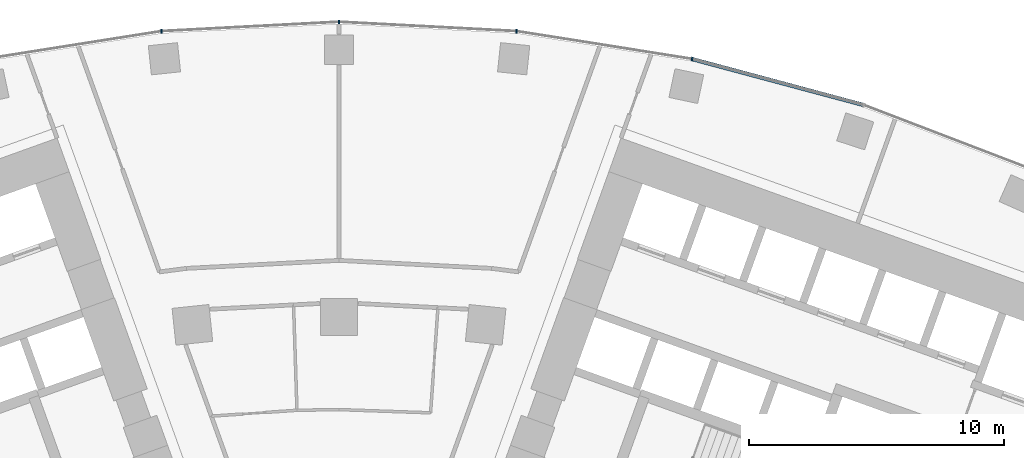
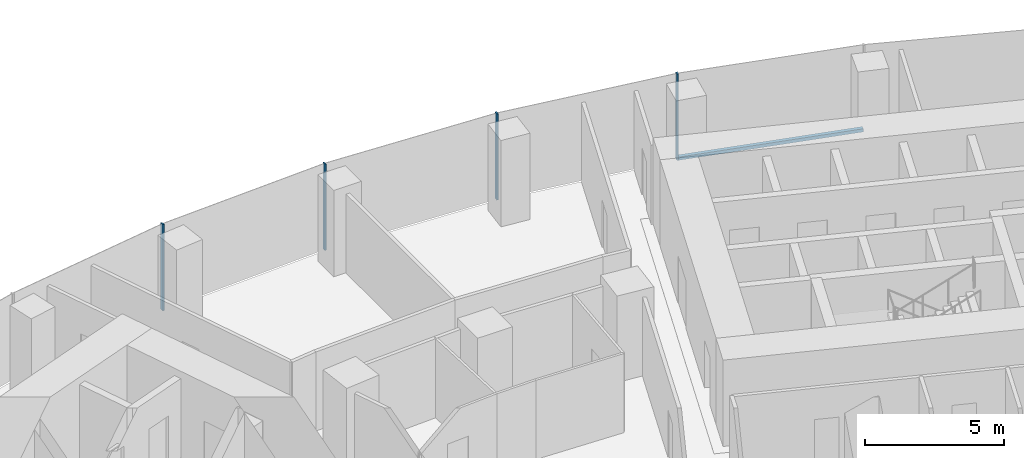
# One storey, part 6 of 20: 5 members, 1 element without a shape of its own.
"""IFC4 building model written with IfcOpenShell, lengths in metres."""

from ifc_helpers import new_model, si_unit, direction, frame, origin, origin_2d, place, context, subcontext, project, spatial, rectangle, extrude, material, layer, layer_set, material_profile, profile_set, type_object, element, aggregate, save


model = new_model("IFC4")

# Units and contexts
model_context = context("Model", 3, precision=1e-05, world=origin(), true_north=direction((0.0, 1.0)))
body_context = subcontext(model_context, "Body", "Model", "MODEL_VIEW")
ifc_project = project(units=[si_unit("LENGTHUNIT", "METRE"), si_unit("AREAUNIT", "SQUARE_METRE"), si_unit("VOLUMEUNIT", "CUBIC_METRE"), si_unit("PLANEANGLEUNIT", "RADIAN"), si_unit("MASSUNIT", "GRAM", prefix="KILO")], contexts=[model_context])

# Site, building, storey
site_placement = place(None, origin())
site = spatial("IfcSite", under=ifc_project, at=site_placement, CompositionType="ELEMENT")
building_placement = place(site_placement, origin())
building = spatial("IfcBuilding", under=site, at=building_placement, Name="Stone Belt Terrace Tower", CompositionType="ELEMENT")
storey_placement = place(building_placement, frame((0.0, 0.0, 125.0)))
storey = spatial("IfcBuildingStorey", under=building, at=storey_placement, Name="L30", CompositionType="ELEMENT", Elevation=125.0)

# Curtain wall, members
ifc_material = material(Name="Aluminium 6063-T6 anodised frame", Category="aluminium")
ifc_layer = layer(ifc_material, 0.14990234375)
ifc_layer_set = layer_set([ifc_layer], Name="CW-A unitised convex-face curtain wall")
curtain_wall_type = type_object("IfcCurtainWallType", Name="CW-A unitised convex-face curtain wall", PredefinedType="NOTDEFINED", material=ifc_layer_set)
curtain_wall_placement = place(storey_placement, origin())
curtain_wall = element("IfcCurtainWall", 1, at=curtain_wall_placement, inside=storey, type_object=curtain_wall_type, Name="CW-A convex face L30", PredefinedType="NOTDEFINED")
ifc_material_profile_1 = material_profile(ifc_material, rectangle(XDim=0.14990234375, YDim=0.06005859375, at=origin_2d()), Name="Aluminium 6063-T6 60x150")
ifc_profile_set_1 = profile_set([ifc_material_profile_1], Name="Aluminium 6063-T6 anodised frame")
member_type_1 = type_object("IfcMemberType", Name="CW-A mullion 60 x 150", PredefinedType="MULLION", material=ifc_profile_set_1)
member_1_placement = place(storey_placement, frame((13.841796875, 65.120361328125, 0.0), z_axis=(0.0, 0.0, 1.0), x_axis=(-0.207911690818, -0.978147600734, 0.0)))
member_1 = element("IfcMember", 2, at=member_1_placement, type_object=member_type_1, Name="CW-A mullion 8", PredefinedType="MULLION", context=body_context, shape_type="SweptSolid", body=[
    extrude(rectangle(XDim=0.14990234375, YDim=0.06005859375, at=origin_2d()), origin(), (0.0, 0.0, 1.0), 3.800048828125),
])
member_2_placement = place(storey_placement, frame((6.958984375, 66.21044921875, 0.0), z_axis=(0.0, 0.0, 1.0), x_axis=(-0.104528463268, -0.994521895368, 0.0)))
member_2 = element("IfcMember", 3, at=member_2_placement, type_object=member_type_1, Name="CW-A mullion 9", PredefinedType="MULLION", context=body_context, shape_type="SweptSolid", body=[
    extrude(rectangle(XDim=0.14990234375, YDim=0.06005859375, at=origin_2d()), origin(), (0.0, 0.0, 1.0), 3.800048828125),
])
member_3_placement = place(storey_placement, frame((0.0, 66.5751953125, 0.0), z_axis=(0.0, 0.0, 1.0), x_axis=(0.0, -1.0, 0.0)))
member_3 = element("IfcMember", 4, at=member_3_placement, type_object=member_type_1, Name="CW-A mullion 10", PredefinedType="MULLION", context=body_context, shape_type="SweptSolid", body=[
    extrude(rectangle(XDim=0.14990234375, YDim=0.06005859375, at=origin_2d()), origin(), (0.0, 0.0, 1.0), 3.800048828125),
])
member_4_placement = place(storey_placement, frame((-6.958984375, 66.21044921875, 0.0), z_axis=(0.0, 0.0, 1.0), x_axis=(0.104528463268, -0.994521895368, 0.0)))
member_4 = element("IfcMember", 5, at=member_4_placement, type_object=member_type_1, Name="CW-A mullion 11", PredefinedType="MULLION", context=body_context, shape_type="SweptSolid", body=[
    extrude(rectangle(XDim=0.14990234375, YDim=0.06005859375, at=origin_2d()), origin(), (0.0, 0.0, 1.0), 3.800048828125),
])
ifc_material_profile_2 = material_profile(ifc_material, rectangle(XDim=0.14990234375, YDim=0.139892578125, at=origin_2d()), Name="Aluminium 6063-T6 150x140")
ifc_profile_set_2 = profile_set([ifc_material_profile_2], Name="Aluminium 6063-T6 anodised frame")
member_type_2 = type_object("IfcMemberType", Name="CW-A transom 140 x 150", PredefinedType="USERDEFINED", material=ifc_profile_set_2)
member_5_placement = place(storey_placement, frame((20.5400390625, 63.325439453125, 0.070068359375), z_axis=(-0.965921835863, 0.258833937117, 0.0), x_axis=(-0.258833937117, -0.965921835863, 0.0)))
member_5 = element("IfcMember", 6, at=member_5_placement, type_object=member_type_2, Name="CW-A transom 7.1", ObjectType="TRANSOM", PredefinedType="USERDEFINED", context=body_context, shape_type="SweptSolid", body=[
    extrude(rectangle(XDim=0.14990234375, YDim=0.139892578125, at=origin_2d()), origin(), (0.0, 0.0, 1.0), 6.900634765625),
])
aggregate(curtain_wall, [member_1, member_2, member_3, member_4, member_5])

save(model, "model.ifc")
